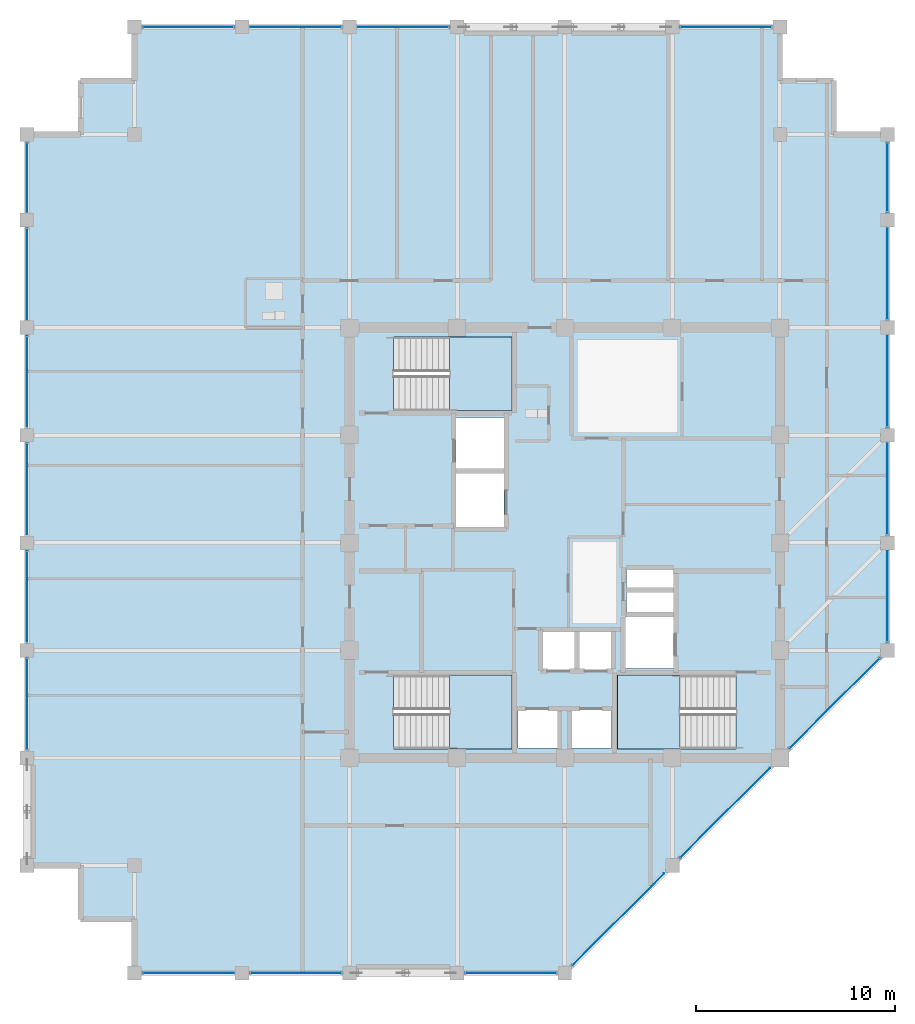
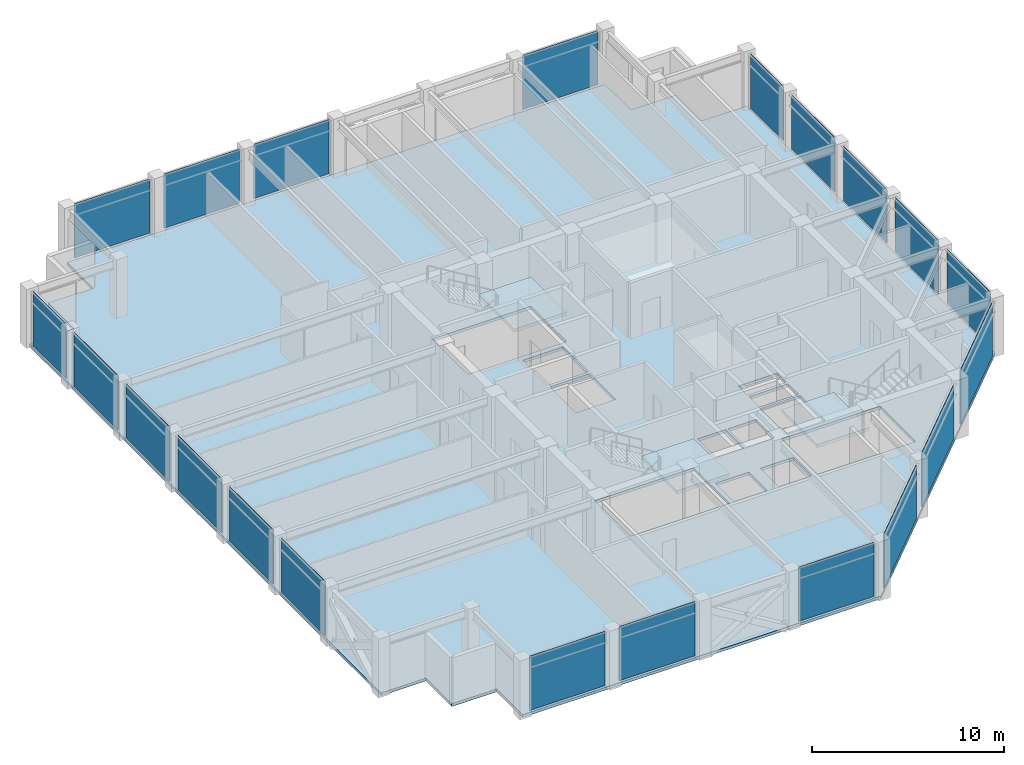
# One storey, part 23 of 31: 21 plates, 4 slabs, 10 elements without a shape of their own.
"""IFC4 building model written with IfcOpenShell, lengths in metres."""

from ifc_helpers import new_model, si_unit, direction, frame, frame_2d, origin, place, context, subcontext, project, spatial, polyline, rectangle, outline, extrude, material, layer, layer_set, type_object, element, aggregate, save


model = new_model("IFC4")

# Units and contexts
model_context = context("Model", 3, precision=1e-05, world=origin(), true_north=direction((0.0, 1.0)))
body_context = subcontext(model_context, "Body", "Model", "MODEL_VIEW")
ifc_project = project(units=[si_unit("LENGTHUNIT", "METRE"), si_unit("AREAUNIT", "SQUARE_METRE"), si_unit("VOLUMEUNIT", "CUBIC_METRE"), si_unit("PLANEANGLEUNIT", "RADIAN"), si_unit("MASSUNIT", "GRAM", prefix="KILO")], contexts=[model_context])

# Site, building, storey
site_placement = place(None, origin())
site = spatial("IfcSite", under=ifc_project, at=site_placement, CompositionType="ELEMENT")
building_placement = place(site_placement, origin())
building = spatial("IfcBuilding", under=site, at=building_placement, Name="Surkhivell Harbour Commons", CompositionType="ELEMENT")
storey_placement = place(building_placement, frame((0.0, 0.0, 288.75)))
storey = spatial("IfcBuildingStorey", under=building, at=storey_placement, Name="L75", CompositionType="ELEMENT", Elevation=288.75)

# Curtain wall, plates
ifc_material_1 = material(Name="Anodised pale-metal aluminium and insulated glazing", Category="aluminium")
ifc_layer_1 = layer(ifc_material_1, 0.175048828125)
ifc_layer_set_1 = layer_set([ifc_layer_1], Name="Anodised pale-metal aluminium and insulated glazing")
curtain_wall_type = type_object("IfcCurtainWallType", Name="CW-SYS-Z4", PredefinedType="NOTDEFINED", material=ifc_layer_set_1)
curtain_wall_1_placement = place(storey_placement, origin())
curtain_wall_1 = element("IfcCurtainWall", 1, at=curtain_wall_1_placement, inside=storey, type_object=curtain_wall_type, Name="L75 Curtain Wall CW-L75-E00S1", PredefinedType="NOTDEFINED")
ifc_material_2 = material(Name="Double-silver low-E laminated vision glass", Category="glass")
ifc_layer_2 = layer(ifc_material_2, 0.031982421875)
ifc_layer_set_2 = layer_set([ifc_layer_2], Name="Double-silver low-E laminated vision glass")
plate_type = type_object("IfcPlateType", Name="CWP-GLZ-32", PredefinedType="CURTAIN_PANEL", material=ifc_layer_set_2)
plate_1_placement = place(storey_placement, frame((-21.173095703125, -21.60009765625, 0.1298828125), z_axis=(0.0, 0.0, 1.0), x_axis=(1.0, 0.0, 0.0)))
plate_1 = element("IfcPlate", 2, at=plate_1_placement, type_object=plate_type, Name="CW-Z4 panel 1.1", PredefinedType="CURTAIN_PANEL", context=body_context, shape_type="SweptSolid", body=[
    extrude(rectangle(XDim=4.546142578125, YDim=0.031982421875, at=frame_2d((2.27294921875, 0.0))), origin(), (0.0, 0.0, 1.0), 3.440185546875),
])
plate_2_placement = place(storey_placement, frame((-15.77294921875, -21.60009765625, 0.1298828125), z_axis=(0.0, 0.0, 1.0), x_axis=(1.0, 0.0, 0.0)))
plate_2 = element("IfcPlate", 3, at=plate_2_placement, type_object=plate_type, Name="CW-Z4 panel 2.1", PredefinedType="CURTAIN_PANEL", context=body_context, shape_type="SweptSolid", body=[
    extrude(rectangle(XDim=4.5458984375, YDim=0.031982421875, at=frame_2d((2.27294921875, 0.0))), origin(), (0.0, 0.0, 1.0), 3.440185546875),
])
aggregate(curtain_wall_1, [plate_1, plate_2])

# Curtain wall, plate
curtain_wall_2_placement = place(storey_placement, origin())
curtain_wall_2 = element("IfcCurtainWall", 4, at=curtain_wall_2_placement, inside=storey, type_object=curtain_wall_type, Name="L75 Curtain Wall CW-L75-E00S2", PredefinedType="NOTDEFINED")
plate_3_placement = place(storey_placement, frame((-4.972900390625, -21.60009765625, 0.1298828125), z_axis=(0.0, 0.0, 1.0), x_axis=(1.0, 0.0, 0.0)))
plate_3 = element("IfcPlate", 5, at=plate_3_placement, type_object=plate_type, Name="CW-Z4 panel 1.1", PredefinedType="CURTAIN_PANEL", context=body_context, shape_type="SweptSolid", body=[
    extrude(rectangle(XDim=4.5458984375, YDim=0.031982421875, at=frame_2d((2.27294921875, 0.0))), origin(), (0.0, 0.0, 1.0), 3.440185546875),
])
aggregate(curtain_wall_2, [plate_3])

# Curtain wall, plates
curtain_wall_3_placement = place(storey_placement, origin())
curtain_wall_3 = element("IfcCurtainWall", 6, at=curtain_wall_3_placement, inside=storey, type_object=curtain_wall_type, Name="L75 Curtain Wall CW-L75-E01", PredefinedType="NOTDEFINED")
plate_4_placement = place(storey_placement, frame((0.404541015625, -21.1953125, 0.1298828125), z_axis=(0.0, 0.0, 1.0), x_axis=(0.707125583467, 0.707087978406, 0.0)))
plate_4 = element("IfcPlate", 7, at=plate_4_placement, type_object=plate_type, Name="CW-Z4 panel 1.1", PredefinedType="CURTAIN_PANEL", context=body_context, shape_type="SweptSolid", body=[
    extrude(rectangle(XDim=6.4921875, YDim=0.031982421875, at=frame_2d((3.24609375, 0.0))), origin(), (0.0, 0.0, 1.0), 3.440185546875),
])
plate_5_placement = place(storey_placement, frame((5.8046875, -15.79541015625, 0.1298828125), z_axis=(0.0, 0.0, 1.0), x_axis=(0.707106781187, 0.707106781187, 0.0)))
plate_5 = element("IfcPlate", 8, at=plate_5_placement, type_object=plate_type, Name="CW-Z4 panel 2.1", PredefinedType="CURTAIN_PANEL", context=body_context, shape_type="SweptSolid", body=[
    extrude(rectangle(XDim=6.350830078125, YDim=0.031982421875, at=frame_2d((3.17529296875, 0.0))), origin(), (0.0, 0.0, 1.0), 3.440185546875),
])
plate_6_placement = place(storey_placement, frame((11.3046875, -10.29541015625, 0.1298828125), z_axis=(0.0, 0.0, 1.0), x_axis=(0.707106781187, 0.707106781187, 0.0)))
plate_6 = element("IfcPlate", 9, at=plate_6_placement, type_object=plate_type, Name="CW-Z4 panel 3.1", PredefinedType="CURTAIN_PANEL", context=body_context, shape_type="SweptSolid", body=[
    extrude(rectangle(XDim=6.350830078125, YDim=0.031982421875, at=frame_2d((3.17529296875, 0.0))), origin(), (0.0, 0.0, 1.0), 3.440185546875),
])
aggregate(curtain_wall_3, [plate_4, plate_5, plate_6])

curtain_wall_4_placement = place(storey_placement, origin())
curtain_wall_4 = element("IfcCurtainWall", 10, at=curtain_wall_4_placement, inside=storey, type_object=curtain_wall_type, Name="L75 Curtain Wall CW-L75-E02", PredefinedType="NOTDEFINED")
plate_7_placement = place(storey_placement, frame((16.199951171875, -4.972900390625, 0.1298828125), z_axis=(0.0, 0.0, 1.0), x_axis=(0.0, 1.0, 0.0)))
plate_7 = element("IfcPlate", 11, at=plate_7_placement, type_object=plate_type, Name="CW-Z4 panel 1.1", PredefinedType="CURTAIN_PANEL", context=body_context, shape_type="SweptSolid", body=[
    extrude(rectangle(XDim=4.5458984375, YDim=0.031982421875, at=frame_2d((2.27294921875, 0.0))), origin(), (0.0, 0.0, 1.0), 3.440185546875),
])
plate_8_placement = place(storey_placement, frame((16.199951171875, 0.427001953125, 0.1298828125), z_axis=(0.0, 0.0, 1.0), x_axis=(0.0, 1.0, 0.0)))
plate_8 = element("IfcPlate", 12, at=plate_8_placement, type_object=plate_type, Name="CW-Z4 panel 2.1", PredefinedType="CURTAIN_PANEL", context=body_context, shape_type="SweptSolid", body=[
    extrude(rectangle(XDim=4.5458984375, YDim=0.031982421875, at=frame_2d((2.27294921875, 0.0))), origin(), (0.0, 0.0, 1.0), 3.440185546875),
])
plate_9_placement = place(storey_placement, frame((16.199951171875, 5.826904296875, 0.1298828125), z_axis=(0.0, 0.0, 1.0), x_axis=(0.0, 1.0, 0.0)))
plate_9 = element("IfcPlate", 13, at=plate_9_placement, type_object=plate_type, Name="CW-Z4 panel 3.1", PredefinedType="CURTAIN_PANEL", context=body_context, shape_type="SweptSolid", body=[
    extrude(rectangle(XDim=4.546142578125, YDim=0.031982421875, at=frame_2d((2.27294921875, 0.0))), origin(), (0.0, 0.0, 1.0), 3.440185546875),
])
plate_10_placement = place(storey_placement, frame((16.199951171875, 11.22705078125, 0.1298828125), z_axis=(0.0, 0.0, 1.0), x_axis=(0.0, 1.0, 0.0)))
plate_10 = element("IfcPlate", 14, at=plate_10_placement, type_object=plate_type, Name="CW-Z4 panel 4.1", PredefinedType="CURTAIN_PANEL", context=body_context, shape_type="SweptSolid", body=[
    extrude(rectangle(XDim=4.5458984375, YDim=0.031982421875, at=frame_2d((2.27294921875, 0.0))), origin(), (0.0, 0.0, 1.0), 3.440185546875),
])
plate_11_placement = place(storey_placement, frame((16.199951171875, 16.626953125, 0.1298828125), z_axis=(0.0, 0.0, 1.0), x_axis=(0.0, 1.0, 0.0)))
plate_11 = element("IfcPlate", 15, at=plate_11_placement, type_object=plate_type, Name="CW-Z4 panel 5.1", PredefinedType="CURTAIN_PANEL", context=body_context, shape_type="SweptSolid", body=[
    extrude(rectangle(XDim=3.446044921875, YDim=0.031982421875, at=frame_2d((1.72314453125, 0.0))), origin(), (0.0, 0.0, 1.0), 3.440185546875),
])
aggregate(curtain_wall_4, [plate_7, plate_8, plate_9, plate_10, plate_11])

# Curtain wall, plate
curtain_wall_5_placement = place(storey_placement, origin())
curtain_wall_5 = element("IfcCurtainWall", 16, at=curtain_wall_5_placement, inside=storey, type_object=curtain_wall_type, Name="L75 Curtain Wall CW-L75-E07S1", PredefinedType="NOTDEFINED")
plate_12_placement = place(storey_placement, frame((10.373046875, 25.89990234375, 0.1298828125), z_axis=(0.0, 0.0, 1.0), x_axis=(-1.0, 0.0, 0.0)))
plate_12 = element("IfcPlate", 17, at=plate_12_placement, type_object=plate_type, Name="CW-Z4 panel 1.1", PredefinedType="CURTAIN_PANEL", context=body_context, shape_type="SweptSolid", body=[
    extrude(rectangle(XDim=4.546142578125, YDim=0.031982421875, at=frame_2d((2.27294921875, 0.0))), origin(), (0.0, 0.0, 1.0), 3.440185546875),
])
aggregate(curtain_wall_5, [plate_12])

# Curtain wall, plates
curtain_wall_6_placement = place(storey_placement, origin())
curtain_wall_6 = element("IfcCurtainWall", 18, at=curtain_wall_6_placement, inside=storey, type_object=curtain_wall_type, Name="L75 Curtain Wall CW-L75-E07S2", PredefinedType="NOTDEFINED")
plate_13_placement = place(storey_placement, frame((-5.826904296875, 25.89990234375, 0.1298828125), z_axis=(0.0, 0.0, 1.0), x_axis=(-1.0, 0.0, 0.0)))
plate_13 = element("IfcPlate", 19, at=plate_13_placement, type_object=plate_type, Name="CW-Z4 panel 1.1", PredefinedType="CURTAIN_PANEL", context=body_context, shape_type="SweptSolid", body=[
    extrude(rectangle(XDim=4.546142578125, YDim=0.031982421875, at=frame_2d((2.27294921875, 0.0))), origin(), (0.0, 0.0, 1.0), 3.440185546875),
])
plate_14_placement = place(storey_placement, frame((-11.22705078125, 25.89990234375, 0.1298828125), z_axis=(0.0, 0.0, 1.0), x_axis=(-1.0, 0.0, 0.0)))
plate_14 = element("IfcPlate", 20, at=plate_14_placement, type_object=plate_type, Name="CW-Z4 panel 2.1", PredefinedType="CURTAIN_PANEL", context=body_context, shape_type="SweptSolid", body=[
    extrude(rectangle(XDim=4.5458984375, YDim=0.031982421875, at=frame_2d((2.27294921875, 0.0))), origin(), (0.0, 0.0, 1.0), 3.440185546875),
])
plate_15_placement = place(storey_placement, frame((-16.626953125, 25.89990234375, 0.1298828125), z_axis=(0.0, 0.0, 1.0), x_axis=(-1.0, 0.0, 0.0)))
plate_15 = element("IfcPlate", 21, at=plate_15_placement, type_object=plate_type, Name="CW-Z4 panel 3.1", PredefinedType="CURTAIN_PANEL", context=body_context, shape_type="SweptSolid", body=[
    extrude(rectangle(XDim=4.546142578125, YDim=0.031982421875, at=frame_2d((2.27294921875, 0.0))), origin(), (0.0, 0.0, 1.0), 3.440185546875),
])
aggregate(curtain_wall_6, [plate_13, plate_14, plate_15])

curtain_wall_7_placement = place(storey_placement, origin())
curtain_wall_7 = element("IfcCurtainWall", 22, at=curtain_wall_7_placement, inside=storey, type_object=curtain_wall_type, Name="L75 Curtain Wall CW-L75-E12S1", PredefinedType="NOTDEFINED")
plate_16_placement = place(storey_placement, frame((-27.0, 20.072998046875, 0.1298828125), z_axis=(0.0, 0.0, 1.0), x_axis=(0.0, -1.0, 0.0)))
plate_16 = element("IfcPlate", 23, at=plate_16_placement, type_object=plate_type, Name="CW-Z4 panel 1.1", PredefinedType="CURTAIN_PANEL", context=body_context, shape_type="SweptSolid", body=[
    extrude(rectangle(XDim=3.446044921875, YDim=0.031982421875, at=frame_2d((1.72314453125, 0.0))), origin(), (0.0, 0.0, 1.0), 3.440185546875),
])
plate_17_placement = place(storey_placement, frame((-27.0, 15.77294921875, 0.1298828125), z_axis=(0.0, 0.0, 1.0), x_axis=(0.0, -1.0, 0.0)))
plate_17 = element("IfcPlate", 24, at=plate_17_placement, type_object=plate_type, Name="CW-Z4 panel 2.1", PredefinedType="CURTAIN_PANEL", context=body_context, shape_type="SweptSolid", body=[
    extrude(rectangle(XDim=4.5458984375, YDim=0.031982421875, at=frame_2d((2.27294921875, 0.0))), origin(), (0.0, 0.0, 1.0), 3.440185546875),
])
plate_18_placement = place(storey_placement, frame((-27.0, 10.373046875, 0.1298828125), z_axis=(0.0, 0.0, 1.0), x_axis=(0.0, -1.0, 0.0)))
plate_18 = element("IfcPlate", 25, at=plate_18_placement, type_object=plate_type, Name="CW-Z4 panel 3.1", PredefinedType="CURTAIN_PANEL", context=body_context, shape_type="SweptSolid", body=[
    extrude(rectangle(XDim=4.546142578125, YDim=0.031982421875, at=frame_2d((2.27294921875, 0.0))), origin(), (0.0, 0.0, 1.0), 3.440185546875),
])
plate_19_placement = place(storey_placement, frame((-27.0, 4.972900390625, 0.1298828125), z_axis=(0.0, 0.0, 1.0), x_axis=(0.0, -1.0, 0.0)))
plate_19 = element("IfcPlate", 26, at=plate_19_placement, type_object=plate_type, Name="CW-Z4 panel 4.1", PredefinedType="CURTAIN_PANEL", context=body_context, shape_type="SweptSolid", body=[
    extrude(rectangle(XDim=4.5458984375, YDim=0.031982421875, at=frame_2d((2.27294921875, 0.0))), origin(), (0.0, 0.0, 1.0), 3.440185546875),
])
plate_20_placement = place(storey_placement, frame((-27.0, -0.427001953125, 0.1298828125), z_axis=(0.0, 0.0, 1.0), x_axis=(0.0, -1.0, 0.0)))
plate_20 = element("IfcPlate", 27, at=plate_20_placement, type_object=plate_type, Name="CW-Z4 panel 5.1", PredefinedType="CURTAIN_PANEL", context=body_context, shape_type="SweptSolid", body=[
    extrude(rectangle(XDim=4.5458984375, YDim=0.031982421875, at=frame_2d((2.27294921875, 0.0))), origin(), (0.0, 0.0, 1.0), 3.440185546875),
])
plate_21_placement = place(storey_placement, frame((-27.0, -5.826904296875, 0.1298828125), z_axis=(0.0, 0.0, 1.0), x_axis=(0.0, -1.0, 0.0)))
plate_21 = element("IfcPlate", 28, at=plate_21_placement, type_object=plate_type, Name="CW-Z4 panel 6.1", PredefinedType="CURTAIN_PANEL", context=body_context, shape_type="SweptSolid", body=[
    extrude(rectangle(XDim=4.546142578125, YDim=0.031982421875, at=frame_2d((2.27294921875, 0.0))), origin(), (0.0, 0.0, 1.0), 3.440185546875),
])
aggregate(curtain_wall_7, [plate_16, plate_17, plate_18, plate_19, plate_20, plate_21])

# Stair, slab
ifc_material_3 = material(Name="Precast concrete C45/55", Category="concrete")
stair_type = type_object("IfcStairType", Name="STR-DL-375", PredefinedType="HALF_TURN_STAIR", material=ifc_material_3)
stair_1_placement = place(storey_placement, origin())
stair_1 = element("IfcStair", 29, at=stair_1_placement, inside=storey, type_object=stair_type, Name="L75 Core Exit Stair ST1", PredefinedType="HALF_TURN_STAIR")
ifc_material_4 = material(Name="Reinforced concrete C45/55", Category="concrete")
ifc_layer_3 = layer(ifc_material_4, 0.199951171875)
ifc_layer_set_3 = layer_set([ifc_layer_3], Name="Reinforced concrete C45/55")
slab_type_1 = type_object("IfcSlabType", Name="SLB-ST-LND200", PredefinedType="LANDING", material=ifc_layer_set_3)
slab_1_placement = place(storey_placement, frame((0.0, 0.0, 1.675048828125)))
slab_1 = element("IfcSlab", 30, at=slab_1_placement, type_object=slab_type_1, Name="ST1 landing 1", PredefinedType="LANDING", context=body_context, shape_type="SweptSolid", body=[
    extrude(outline(polyline([(-5.7900390625, 6.639892578125), (-2.639892578125, 6.639892578125), (-2.639892578125, 10.340087890625), (-5.7900390625, 10.340087890625), (-5.7900390625, 6.639892578125)])), origin(), (0.0, 0.0, 1.0), 0.199951171875),
])
aggregate(stair_1, [slab_1])

stair_2_placement = place(storey_placement, origin())
stair_2 = element("IfcStair", 31, at=stair_2_placement, inside=storey, type_object=stair_type, Name="L75 Core Exit Stair ST2", PredefinedType="HALF_TURN_STAIR")
slab_2_placement = place(storey_placement, frame((0.0, 0.0, 1.675048828125)))
slab_2 = element("IfcSlab", 32, at=slab_2_placement, type_object=slab_type_1, Name="ST2 landing 1", PredefinedType="LANDING", context=body_context, shape_type="SweptSolid", body=[
    extrude(outline(polyline([(5.7900390625, -6.639892578125), (2.639892578125, -6.639892578125), (2.639892578125, -10.340087890625), (5.7900390625, -10.340087890625), (5.7900390625, -6.639892578125)])), origin(), (0.0, 0.0, 1.0), 0.199951171875),
])
aggregate(stair_2, [slab_2])

stair_3_placement = place(storey_placement, origin())
stair_3 = element("IfcStair", 33, at=stair_3_placement, inside=storey, type_object=stair_type, Name="L75 Core Exit Stair ST3", PredefinedType="HALF_TURN_STAIR")
slab_3_placement = place(storey_placement, frame((0.0, 0.0, 1.675048828125)))
slab_3 = element("IfcSlab", 34, at=slab_3_placement, type_object=slab_type_1, Name="ST3 landing 1", PredefinedType="LANDING", context=body_context, shape_type="SweptSolid", body=[
    extrude(outline(polyline([(-5.7900390625, -10.340087890625), (-2.639892578125, -10.340087890625), (-2.639892578125, -6.639892578125), (-5.7900390625, -6.639892578125), (-5.7900390625, -10.340087890625)])), origin(), (0.0, 0.0, 1.0), 0.199951171875),
])
aggregate(stair_3, [slab_3])

# Slab
ifc_material_5 = material(Name="Concrete C45/55", Category="concrete")
ifc_layer_4 = layer(ifc_material_5, 0.179931640625)
ifc_layer_set_4 = layer_set([ifc_layer_4], Name="Concrete C45/55")
slab_type_2 = type_object("IfcSlabType", Name="SLB-TYP-180", PredefinedType="FLOOR", material=ifc_layer_set_4)
slab_4_placement = place(storey_placement, frame((0.0, 0.0, -0.179931640625)))
element("IfcSlab", 35, at=slab_4_placement, inside=storey, type_object=slab_type_2, Name="L75 Structural Floor Slab", PredefinedType="FLOOR", context=body_context, shape_type="SweptSolid", body=[
    extrude(outline(polyline([(-21.60009765625, -21.60009765625), (0.0, -21.60009765625), (16.199951171875, -5.39990234375), (16.199951171875, 20.5), (13.5, 20.5), (13.5, 23.199951171875), (10.800048828125, 23.199951171875), (10.800048828125, 25.89990234375), (-21.60009765625, 25.89990234375), (-21.60009765625, 23.199951171875), (-24.300048828125, 23.199951171875), (-24.300048828125, 20.5), (-27.0, 20.5), (-27.0, -16.199951171875), (-24.300048828125, -16.199951171875), (-24.300048828125, -18.89990234375), (-21.60009765625, -18.89990234375), (-21.60009765625, -21.60009765625)]), holes=[polyline([(-8.590087890625, 6.639892578125), (-2.639892578125, 6.639892578125), (-2.639892578125, 10.340087890625), (-8.590087890625, 10.340087890625), (-8.590087890625, 6.639892578125)]), polyline([(8.590087890625, -6.639892578125), (2.639892578125, -6.639892578125), (2.639892578125, -10.340087890625), (8.590087890625, -10.340087890625), (8.590087890625, -6.639892578125)]), polyline([(-8.590087890625, -10.340087890625), (-2.639892578125, -10.340087890625), (-2.639892578125, -6.639892578125), (-8.590087890625, -6.639892578125), (-8.590087890625, -10.340087890625)]), polyline([(-1.14990234375, -6.35009765625), (0.550048828125, -6.35009765625), (0.550048828125, -4.449951171875), (-1.14990234375, -4.449951171875), (-1.14990234375, -6.35009765625)]), polyline([(0.679931640625, -6.35009765625), (2.3798828125, -6.35009765625), (2.3798828125, -4.449951171875), (0.679931640625, -4.449951171875), (0.679931640625, -6.35009765625)]), polyline([(-2.35009765625, -10.300048828125), (-0.35009765625, -10.300048828125), (-0.35009765625, -8.39990234375), (-2.35009765625, -8.39990234375), (-2.35009765625, -10.300048828125)]), polyline([(0.35009765625, -10.300048828125), (2.35009765625, -10.300048828125), (2.35009765625, -8.39990234375), (0.35009765625, -8.39990234375), (0.35009765625, -10.300048828125)]), polyline([(-5.449951171875, 3.699951171875), (-3.050048828125, 3.699951171875), (-3.050048828125, 6.300048828125), (-5.449951171875, 6.300048828125), (-5.449951171875, 3.699951171875)]), polyline([(3.050048828125, -6.300048828125), (5.449951171875, -6.300048828125), (5.449951171875, -3.699951171875), (3.050048828125, -3.699951171875), (3.050048828125, -6.300048828125)]), polyline([(-5.449951171875, 0.800048828125), (-3.050048828125, 0.800048828125), (-3.050048828125, 3.5), (-5.449951171875, 3.5), (-5.449951171875, 0.800048828125)]), polyline([(3.10009765625, -3.550048828125), (5.449951171875, -3.550048828125), (5.449951171875, -2.47998046875), (3.10009765625, -2.47998046875), (3.10009765625, -3.550048828125)]), polyline([(3.10009765625, -2.280029296875), (5.449951171875, -2.280029296875), (5.449951171875, -1.35009765625), (3.10009765625, -1.35009765625), (3.10009765625, -2.280029296875)])]), origin(), (0.0, 0.0, 1.0), 0.179931640625),
])

save(model, "model.ifc")
